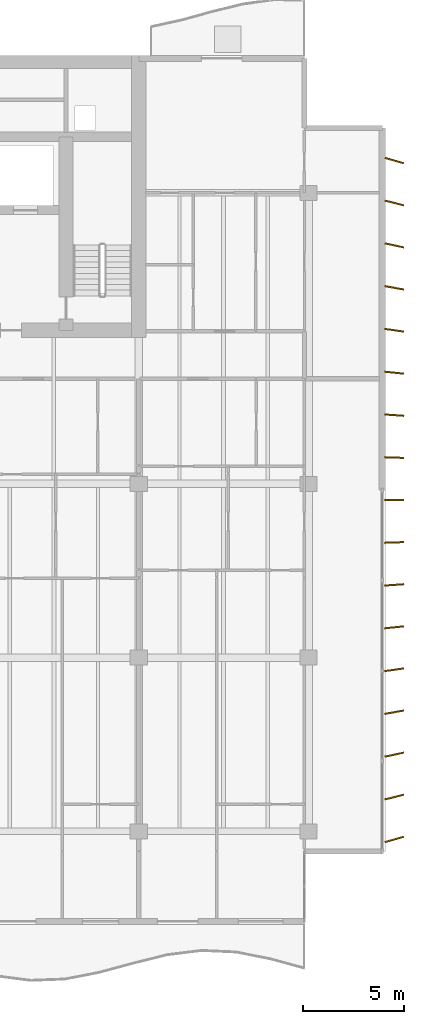
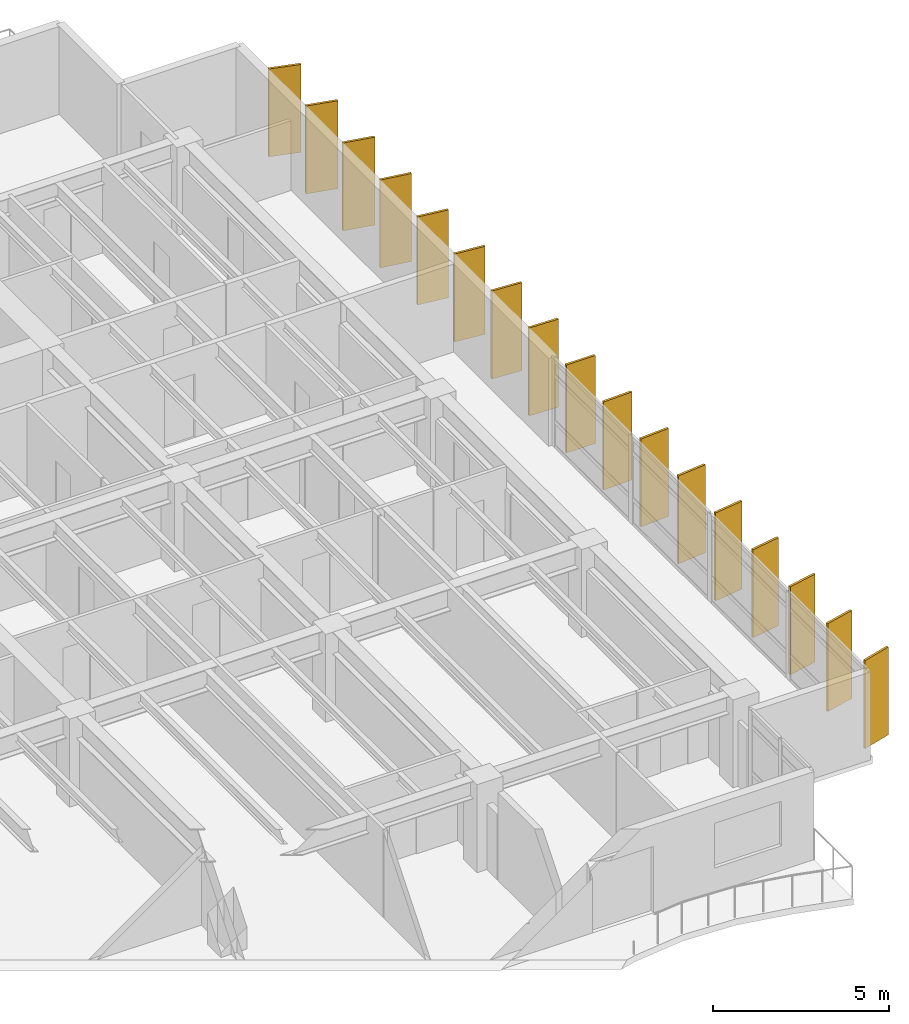
# One storey, part 18 of 18: 17 shading devices.
"""IFC4 building model written with IfcOpenShell, lengths in metres."""

from ifc_helpers import new_model, si_unit, direction, frame, origin, origin_2d, place, context, subcontext, project, spatial, rectangle, extrude, material, material_profile, profile_set, type_object, element, save


model = new_model("IFC4")

# Units and contexts
model_context = context("Model", 3, precision=1e-05, world=origin(), true_north=direction((0.0, 1.0)))
body_context = subcontext(model_context, "Body", "Model", "MODEL_VIEW")
ifc_project = project(units=[si_unit("LENGTHUNIT", "METRE"), si_unit("AREAUNIT", "SQUARE_METRE"), si_unit("VOLUMEUNIT", "CUBIC_METRE"), si_unit("PLANEANGLEUNIT", "RADIAN"), si_unit("MASSUNIT", "GRAM", prefix="KILO")], contexts=[model_context])

# Site, building, storey
site_placement = place(None, origin())
site = spatial("IfcSite", under=ifc_project, at=site_placement, CompositionType="ELEMENT")
building_placement = place(site_placement, origin())
building = spatial("IfcBuilding", under=site, at=building_placement, Name="Caelmar Bay Residences", CompositionType="ELEMENT")
storey_placement = place(building_placement, frame((0.0, 0.0, 177.0)))
storey = spatial("IfcBuildingStorey", under=building, at=storey_placement, Name="L49", CompositionType="ELEMENT", Elevation=177.0)

# Shading devices
ifc_material = material(Name="Anodised architectural bronze aluminium 6063-T6", Category="aluminium")
ifc_material_profile = material_profile(ifc_material, rectangle(XDim=0.074951171875, YDim=0.949951171875, at=origin_2d()), Name="BRONZE-FIN-75X950")
ifc_profile_set = profile_set([ifc_material_profile], Name="Anodised architectural bronze aluminium 6063-T6")
shading_device_type = type_object("IfcShadingDeviceType", Name="SHD-FIN-950", PredefinedType="USERDEFINED", material=ifc_profile_set)
for number, where, z_axis, x_axis, name in (
    (1, (72.14990234375, 11.800048828125, 0.0), (0.0, 0.0, 1.0), (-0.275637355817, 0.961261695938, 0.0), "L49 East Bronze Solar Fin 1"),
    (2, (72.14990234375, 13.89990234375, 0.0), (0.0, 0.0, 1.0), (-0.2419218956, 0.970295726276, 0.0), "L49 East Bronze Solar Fin 2"),
    (3, (72.14990234375, 16.0, 0.0), (0.0, 0.0, 1.0), (-0.207911690818, 0.978147600734, 0.0), "L49 East Bronze Solar Fin 3"),
    (4, (72.14990234375, 18.10009765625, 0.0), (0.0, 0.0, 1.0), (-0.173648177667, 0.984807753012, 0.0), "L49 East Bronze Solar Fin 4"),
    (5, (72.14990234375, 20.199951171875, 0.0), (0.0, 0.0, 1.0), (-0.13917310096, 0.990268068742, 0.0), "L49 East Bronze Solar Fin 5"),
    (6, (72.14990234375, 22.300048828125, 0.0), (0.0, 0.0, 1.0), (-0.104528463268, 0.994521895368, 0.0), "L49 East Bronze Solar Fin 6"),
    (7, (72.14990234375, 24.39990234375, 0.0), (0.0, 0.0, 1.0), (-0.069756473744, 0.99756405026, 0.0), "L49 East Bronze Solar Fin 7"),
    (8, (72.14990234375, 26.5, 0.0), (0.0, 0.0, 1.0), (-0.034899496703, 0.999390827019, 0.0), "L49 East Bronze Solar Fin 8"),
    (9, (72.14990234375, 28.60009765625, 0.0), (0.0, 0.0, 1.0), (0.0, 1.0, 0.0), "L49 East Bronze Solar Fin 9"),
    (10, (72.14990234375, 30.699951171875, 0.0), (0.0, 0.0, 1.0), (0.034899496703, 0.999390827019, 0.0), "L49 East Bronze Solar Fin 10"),
    (11, (72.14990234375, 32.800048828125, 0.0), (0.0, 0.0, 1.0), (0.069756473744, 0.99756405026, 0.0), "L49 East Bronze Solar Fin 11"),
    (12, (72.14990234375, 34.89990234375, 0.0), (0.0, 0.0, 1.0), (0.104528463268, 0.994521895368, 0.0), "L49 East Bronze Solar Fin 12"),
    (13, (72.14990234375, 37.0, 0.0), (0.0, 0.0, 1.0), (0.13917310096, 0.990268068742, 0.0), "L49 East Bronze Solar Fin 13"),
    (14, (72.14990234375, 39.10009765625, 0.0), (0.0, 0.0, 1.0), (0.173648177667, 0.984807753012, 0.0), "L49 East Bronze Solar Fin 14"),
    (15, (72.14990234375, 41.199951171875, 0.0), (0.0, 0.0, 1.0), (0.207911690818, 0.978147600734, 0.0), "L49 East Bronze Solar Fin 15"),
    (16, (72.14990234375, 43.300048828125, 0.0), (0.0, 0.0, 1.0), (0.2419218956, 0.970295726276, 0.0), "L49 East Bronze Solar Fin 16"),
    (17, (72.14990234375, 45.39990234375, 0.0), (0.0, 0.0, 1.0), (0.275637355817, 0.961261695938, 0.0), "L49 East Bronze Solar Fin 17"),
):
    element("IfcShadingDevice", number, at=place(storey_placement, frame(where, z_axis=z_axis, x_axis=x_axis)), inside=storey, type_object=shading_device_type, Name=name, ObjectType="FIN", PredefinedType="USERDEFINED", context=body_context, shape_type="SweptSolid", body=[
        extrude(rectangle(XDim=0.074951171875, YDim=0.949951171875, at=origin_2d()), origin(), (0.0, 0.0, 1.0), 3.050048828125),
    ])

save(model, "model.ifc")
